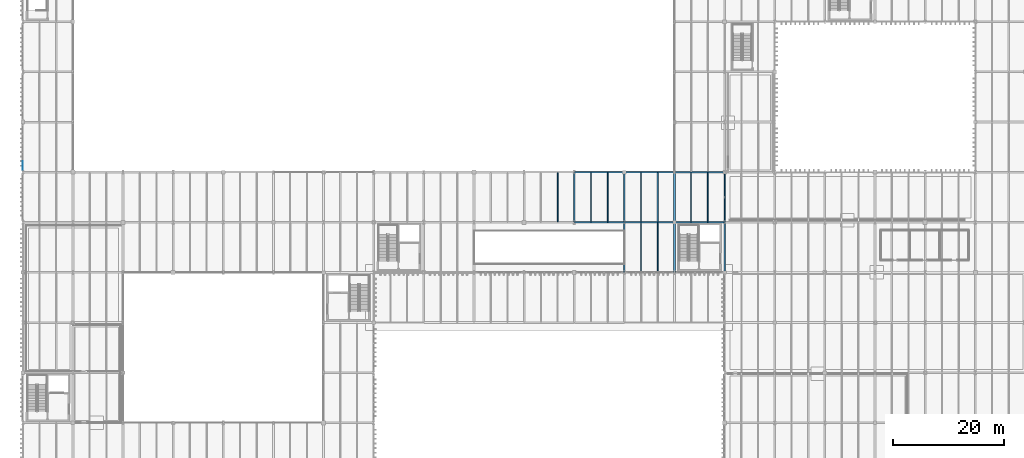
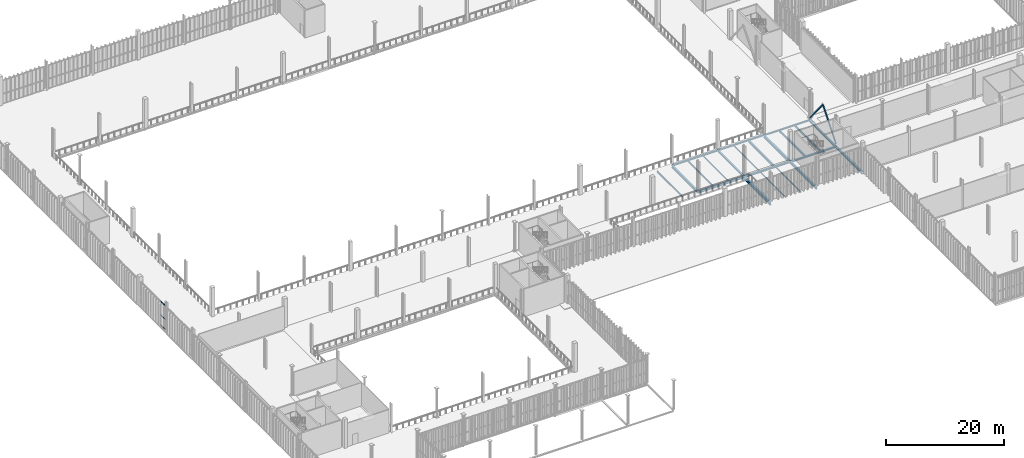
# One storey, part 72 of 211: 22 beams, 5 members, 1 element without a shape of its own.
"""IFC4 building model written with IfcOpenShell, lengths in metres."""

from ifc_helpers import new_model, si_unit, direction, frame, origin, origin_2d, place, context, subcontext, project, spatial, hollow_rectangle, i_section, extrude, material, layer, layer_set, material_profile, profile_set, type_object, element, aggregate, save


model = new_model("IFC4")

# Units and contexts
model_context = context("Model", 3, precision=1e-05, world=origin(), true_north=direction((0.0, 1.0)))
body_context = subcontext(model_context, "Body", "Model", "MODEL_VIEW")
ifc_project = project(units=[si_unit("LENGTHUNIT", "METRE"), si_unit("AREAUNIT", "SQUARE_METRE"), si_unit("VOLUMEUNIT", "CUBIC_METRE"), si_unit("PLANEANGLEUNIT", "RADIAN"), si_unit("MASSUNIT", "GRAM", prefix="KILO")], contexts=[model_context])

# Site, building, storey
site_placement = place(None, origin())
site = spatial("IfcSite", under=ifc_project, at=site_placement, CompositionType="ELEMENT")
building_placement = place(site_placement, origin())
building = spatial("IfcBuilding", under=site, at=building_placement, Name="Barlavento Convention Centre", CompositionType="ELEMENT")
storey_placement = place(building_placement, frame((0.0, 0.0, 6.0)))
storey = spatial("IfcBuildingStorey", under=building, at=storey_placement, Name="L01", CompositionType="ELEMENT", Elevation=6.0)

# Curtain wall, members
ifc_material_1 = material(Name="Powder-coated aluminium and Low-E glass", Category="aluminium")
ifc_layer = layer(ifc_material_1, 0.179931640625)
ifc_layer_set = layer_set([ifc_layer], Name="ARC-CW-EXH-L01")
curtain_wall_type = type_object("IfcCurtainWallType", Name="ARC-CW-EXH-L01", PredefinedType="NOTDEFINED", material=ifc_layer_set)
curtain_wall_placement = place(storey_placement, origin())
curtain_wall = element("IfcCurtainWall", 1, at=curtain_wall_placement, inside=storey, type_object=curtain_wall_type, Name="L01 unitised curtain wall CW04", PredefinedType="NOTDEFINED")
ifc_material_2 = material(Name="Powder-coated aluminium", Category="aluminium")
ifc_material_profile_1 = material_profile(ifc_material_2, hollow_rectangle(XDim=0.06005859375, YDim=0.139892578125, WallThickness=0.00390625, at=origin_2d()), Name="AL-TRAN 60x140x4")
ifc_profile_set_1 = profile_set([ifc_material_profile_1], Name="Powder-coated aluminium")
member_type_1 = type_object("IfcMemberType", Name="ARC-CWT-60X140", PredefinedType="USERDEFINED", material=ifc_profile_set_1)
member_1_placement = place(storey_placement, frame((0.0, 63.406982421875, 0.030029296875), z_axis=(0.0, 1.0, 0.0), x_axis=(-1.0, 0.0, 0.0)))
member_1 = element("IfcMember", 2, at=member_1_placement, type_object=member_type_1, Name="CW04 transom 1.1", ObjectType="TRANSOM", PredefinedType="USERDEFINED", context=body_context, shape_type="SweptSolid", body=[
    extrude(hollow_rectangle(XDim=0.06005859375, YDim=0.139892578125, WallThickness=0.00390625, at=origin_2d()), origin(), (0.0, 0.0, 1.0), 1.548095703125),
])
member_2_placement = place(storey_placement, frame((0.0, 63.406982421875, 2.10009765625), z_axis=(0.0, 1.0, 0.0), x_axis=(-1.0, 0.0, 0.0)))
member_2 = element("IfcMember", 3, at=member_2_placement, type_object=member_type_1, Name="CW04 transom 1.2", ObjectType="TRANSOM", PredefinedType="USERDEFINED", context=body_context, shape_type="SweptSolid", body=[
    extrude(hollow_rectangle(XDim=0.06005859375, YDim=0.139892578125, WallThickness=0.00390625, at=origin_2d()), origin(), (0.0, 0.0, 1.0), 1.548095703125),
])
member_3_placement = place(storey_placement, frame((0.0, 63.406982421875, 4.919921875), z_axis=(0.0, 1.0, 0.0), x_axis=(-1.0, 0.0, 0.0)))
member_3 = element("IfcMember", 4, at=member_3_placement, type_object=member_type_1, Name="CW04 transom 1.3", ObjectType="TRANSOM", PredefinedType="USERDEFINED", context=body_context, shape_type="SweptSolid", body=[
    extrude(hollow_rectangle(XDim=0.06005859375, YDim=0.139892578125, WallThickness=0.00390625, at=origin_2d()), origin(), (0.0, 0.0, 1.0), 1.548095703125),
])
aggregate(curtain_wall, [member_1, member_2, member_3])

# Beams
ifc_material_3 = material(Name="Steel S355", Category="steel")
ifc_material_profile_2 = material_profile(ifc_material_3, i_section(OverallWidth=0.110107421875, OverallDepth=0.219970703125, WebThickness=0.005859375, FlangeThickness=0.00927734375, FilletRadius=0.011962890625, at=origin_2d()), Name="IPE 220")
ifc_profile_set_2 = profile_set([ifc_material_profile_2], Name="Steel S355")
beam_type_1 = type_object("IfcBeamType", Name="STR-BM-JST-IPE220", PredefinedType="JOIST", material=ifc_profile_set_2)
beam_1_placement = place(storey_placement, frame((111.0, 54.094970703125, -0.39990234375), z_axis=(0.0, 1.0, 0.0), x_axis=(-1.0, 0.0, 0.0)))
element("IfcBeam", 5, at=beam_1_placement, inside=storey, type_object=beam_type_1, Name="L01 composite floor joist SJ10", PredefinedType="JOIST", context=body_context, shape_type="SweptSolid", body=[
    extrude(i_section(OverallWidth=0.110107421875, OverallDepth=0.219970703125, WebThickness=0.005859375, FlangeThickness=0.00927734375, FilletRadius=0.011962890625, at=origin_2d()), origin(), (0.0, 0.0, 1.0), 8.81005859375),
])
ifc_material_profile_3 = material_profile(ifc_material_3, i_section(OverallWidth=0.1201171875, OverallDepth=0.239990234375, WebThickness=0.006103515625, FlangeThickness=0.009765625, FilletRadius=0.014892578125, at=origin_2d()), Name="IPE 240")
ifc_profile_set_3 = profile_set([ifc_material_profile_3], Name="Steel S355")
beam_type_2 = type_object("IfcBeamType", Name="STR-BM-JST-IPE240", PredefinedType="JOIST", material=ifc_profile_set_3)
beam_2_placement = place(storey_placement, frame((114.0, 45.094970703125, -0.409912109375), z_axis=(0.0, 1.0, 0.0), x_axis=(-1.0, 0.0, 0.0)))
element("IfcBeam", 6, at=beam_2_placement, inside=storey, type_object=beam_type_2, Name="L01 composite floor joist SJ09", PredefinedType="JOIST", context=body_context, shape_type="SweptSolid", body=[
    extrude(i_section(OverallWidth=0.1201171875, OverallDepth=0.239990234375, WebThickness=0.006103515625, FlangeThickness=0.009765625, FilletRadius=0.014892578125, at=origin_2d()), origin(), (0.0, 0.0, 1.0), 8.81005859375),
])
ifc_material_profile_4 = material_profile(ifc_material_3, i_section(OverallWidth=0.135009765625, OverallDepth=0.27001953125, WebThickness=0.006591796875, FlangeThickness=0.01025390625, FilletRadius=0.014892578125, at=origin_2d()), Name="IPE 270")
ifc_profile_set_4 = profile_set([ifc_material_profile_4], Name="Steel S355")
beam_type_3 = type_object("IfcBeamType", Name="STR-BM-JST-IPE270", PredefinedType="JOIST", material=ifc_profile_set_4)
for number, where, z_axis, x_axis, name in (
    (7, (111.0, 45.094970703125, -0.425048828125), (0.0, 1.0, 0.0), (-1.0, 0.0, 0.0), "L01 composite floor joist SJ08"),
    (8, (105.0, 54.094970703125, -0.425048828125), (0.0, 1.0, 0.0), (-1.0, 0.0, 0.0), "L01 composite floor joist SJ08"),
):
    element("IfcBeam", number, at=place(storey_placement, frame(where, z_axis=z_axis, x_axis=x_axis)), inside=storey, type_object=beam_type_3, Name=name, PredefinedType="JOIST", context=body_context, shape_type="SweptSolid", body=[
        extrude(i_section(OverallWidth=0.135009765625, OverallDepth=0.27001953125, WebThickness=0.006591796875, FlangeThickness=0.01025390625, FilletRadius=0.014892578125, at=origin_2d()), origin(), (0.0, 0.0, 1.0), 8.81005859375),
    ])
ifc_material_profile_5 = material_profile(ifc_material_3, i_section(OverallWidth=0.14990234375, OverallDepth=0.300048828125, WebThickness=0.007080078125, FlangeThickness=0.0107421875, FilletRadius=0.014892578125, at=origin_2d()), Name="IPE 300")
ifc_profile_set_5 = profile_set([ifc_material_profile_5], Name="Steel S355")
beam_type_4 = type_object("IfcBeamType", Name="STR-BM-JST-IPE300", PredefinedType="JOIST", material=ifc_profile_set_5)
beam_3_placement = place(storey_placement, frame((102.0, 54.094970703125, -0.43994140625), z_axis=(0.0, 1.0, 0.0), x_axis=(-1.0, 0.0, 0.0)))
element("IfcBeam", 9, at=beam_3_placement, inside=storey, type_object=beam_type_4, Name="L01 composite floor joist SJ07", PredefinedType="JOIST", context=body_context, shape_type="SweptSolid", body=[
    extrude(i_section(OverallWidth=0.14990234375, OverallDepth=0.300048828125, WebThickness=0.007080078125, FlangeThickness=0.0107421875, FilletRadius=0.014892578125, at=origin_2d()), origin(), (0.0, 0.0, 1.0), 8.81005859375),
])
ifc_material_profile_6 = material_profile(ifc_material_3, i_section(OverallWidth=0.169921875, OverallDepth=0.360107421875, WebThickness=0.008056640625, FlangeThickness=0.0126953125, FilletRadius=0.01806640625, at=origin_2d()), Name="IPE 360")
ifc_profile_set_6 = profile_set([ifc_material_profile_6], Name="Steel S355")
beam_type_5 = type_object("IfcBeamType", Name="STR-BM-JST-IPE360", PredefinedType="JOIST", material=ifc_profile_set_6)
beam_4_placement = place(storey_placement, frame((96.0, 54.094970703125, -0.469970703125), z_axis=(0.0, 1.0, 0.0), x_axis=(-1.0, 0.0, 0.0)))
element("IfcBeam", 10, at=beam_4_placement, inside=storey, type_object=beam_type_5, Name="L01 composite floor joist SJ05", PredefinedType="JOIST", context=body_context, shape_type="SweptSolid", body=[
    extrude(i_section(OverallWidth=0.169921875, OverallDepth=0.360107421875, WebThickness=0.008056640625, FlangeThickness=0.0126953125, FilletRadius=0.01806640625, at=origin_2d()), origin(), (0.0, 0.0, 1.0), 8.81005859375),
])
ifc_material_profile_7 = material_profile(ifc_material_3, i_section(OverallWidth=0.179931640625, OverallDepth=0.39990234375, WebThickness=0.008544921875, FlangeThickness=0.013427734375, FilletRadius=0.02099609375, at=origin_2d()), Name="IPE 400")
ifc_profile_set_7 = profile_set([ifc_material_profile_7], Name="Steel S355")
beam_type_6 = type_object("IfcBeamType", Name="STR-BM-JST-IPE400", PredefinedType="JOIST", material=ifc_profile_set_7)
beam_5_placement = place(storey_placement, frame((123.0, 54.094970703125, -0.489990234375), z_axis=(0.0, 1.0, 0.0), x_axis=(-1.0, 0.0, 0.0)))
element("IfcBeam", 11, at=beam_5_placement, inside=storey, type_object=beam_type_6, Name="L01 composite floor joist SJ04", PredefinedType="JOIST", context=body_context, shape_type="SweptSolid", body=[
    extrude(i_section(OverallWidth=0.179931640625, OverallDepth=0.39990234375, WebThickness=0.008544921875, FlangeThickness=0.013427734375, FilletRadius=0.02099609375, at=origin_2d()), origin(), (0.0, 0.0, 1.0), 8.81005859375),
])
ifc_material_profile_8 = material_profile(ifc_material_3, i_section(OverallWidth=0.18994140625, OverallDepth=0.449951171875, WebThickness=0.009521484375, FlangeThickness=0.0146484375, FilletRadius=0.02099609375, at=origin_2d()), Name="IPE 450")
ifc_profile_set_8 = profile_set([ifc_material_profile_8], Name="Steel S355")
beam_type_7 = type_object("IfcBeamType", Name="STR-BM-JST-IPE450", PredefinedType="JOIST", material=ifc_profile_set_8)
beam_6_placement = place(storey_placement, frame((120.0, 54.094970703125, -0.514892578125), z_axis=(0.0, 1.0, 0.0), x_axis=(-1.0, 0.0, 0.0)))
element("IfcBeam", 12, at=beam_6_placement, inside=storey, type_object=beam_type_7, Name="L01 composite floor joist SJ03", PredefinedType="JOIST", context=body_context, shape_type="SweptSolid", body=[
    extrude(i_section(OverallWidth=0.18994140625, OverallDepth=0.449951171875, WebThickness=0.009521484375, FlangeThickness=0.0146484375, FilletRadius=0.02099609375, at=origin_2d()), origin(), (0.0, 0.0, 1.0), 8.81005859375),
])
ifc_material_profile_9 = material_profile(ifc_material_3, i_section(OverallWidth=0.2099609375, OverallDepth=0.550048828125, WebThickness=0.010986328125, FlangeThickness=0.01708984375, FilletRadius=0.02392578125, at=origin_2d()), Name="IPE 550")
ifc_profile_set_9 = profile_set([ifc_material_profile_9], Name="Steel S355")
beam_type_8 = type_object("IfcBeamType", Name="STR-BM-JST-IPE550", PredefinedType="JOIST", material=ifc_profile_set_9)
beam_7_placement = place(storey_placement, frame((114.0, 54.094970703125, -0.56494140625), z_axis=(0.0, 1.0, 0.0), x_axis=(-1.0, 0.0, 0.0)))
element("IfcBeam", 13, at=beam_7_placement, inside=storey, type_object=beam_type_8, Name="L01 composite floor joist SJ01", PredefinedType="JOIST", context=body_context, shape_type="SweptSolid", body=[
    extrude(i_section(OverallWidth=0.2099609375, OverallDepth=0.550048828125, WebThickness=0.010986328125, FlangeThickness=0.01708984375, FilletRadius=0.02392578125, at=origin_2d()), origin(), (0.0, 0.0, 1.0), 8.81005859375),
])
ifc_material_profile_10 = material_profile(ifc_material_3, i_section(OverallWidth=0.300048828125, OverallDepth=0.35009765625, WebThickness=0.010009765625, FlangeThickness=0.017578125, FilletRadius=0.027099609375, at=origin_2d()), Name="HEA 360")
ifc_profile_set_10 = profile_set([ifc_material_profile_10], Name="Steel S355")
beam_type_9 = type_object("IfcBeamType", Name="STR-BM-PRI-HEA360", PredefinedType="BEAM", material=ifc_profile_set_10)
beam_8_placement = place(storey_placement, frame((108.0, 54.02001953125, -0.465087890625), z_axis=(0.0, 1.0, 0.0), x_axis=(-1.0, 0.0, 0.0)))
element("IfcBeam", 14, at=beam_8_placement, inside=storey, type_object=beam_type_9, Name="L01 grid girder BG23", PredefinedType="BEAM", context=body_context, shape_type="SweptSolid", body=[
    extrude(i_section(OverallWidth=0.300048828125, OverallDepth=0.35009765625, WebThickness=0.010009765625, FlangeThickness=0.017578125, FilletRadius=0.027099609375, at=origin_2d()), origin(), (0.0, 0.0, 1.0), 8.9599609375),
])
ifc_material_profile_11 = material_profile(ifc_material_3, i_section(OverallWidth=0.300048828125, OverallDepth=0.43994140625, WebThickness=0.011474609375, FlangeThickness=0.02099609375, FilletRadius=0.027099609375, at=origin_2d()), Name="HEA 450")
ifc_profile_set_11 = profile_set([ifc_material_profile_11], Name="Steel S355")
beam_type_10 = type_object("IfcBeamType", Name="STR-BM-PRI-HEA450", PredefinedType="BEAM", material=ifc_profile_set_11)
for number, where, z_axis, x_axis, name in (
    (15, (126.0, 45.02001953125, -0.580078125), (0.0, 1.0, 0.0), (-1.0, 0.0, 0.0), "L01 grid girder BG21"),
    (16, (126.0, 54.02001953125, -0.580078125), (0.0, 1.0, 0.0), (-1.0, 0.0, 0.0), "L01 grid girder BG21"),
):
    element("IfcBeam", number, at=place(storey_placement, frame(where, z_axis=z_axis, x_axis=x_axis)), inside=storey, type_object=beam_type_10, Name=name, PredefinedType="BEAM", context=body_context, shape_type="SweptSolid", body=[
        extrude(i_section(OverallWidth=0.300048828125, OverallDepth=0.43994140625, WebThickness=0.011474609375, FlangeThickness=0.02099609375, FilletRadius=0.027099609375, at=origin_2d()), origin(), (0.0, 0.0, 1.0), 8.9599609375),
    ])
ifc_material_profile_12 = material_profile(ifc_material_3, i_section(OverallWidth=0.300048828125, OverallDepth=0.489990234375, WebThickness=0.011962890625, FlangeThickness=0.02294921875, FilletRadius=0.027099609375, at=origin_2d()), Name="HEA 500")
ifc_profile_set_12 = profile_set([ifc_material_profile_12], Name="Steel S355")
beam_type_11 = type_object("IfcBeamType", Name="STR-BM-PRI-HEA500", PredefinedType="BEAM", material=ifc_profile_set_12)
for number, where, z_axis, x_axis, name in (
    (17, (117.0, 45.02001953125, -0.534912109375), (0.0, 1.0, 0.0), (-1.0, 0.0, 0.0), "L01 grid girder BG20"),
    (18, (99.0, 54.02001953125, -0.534912109375), (0.0, 1.0, 0.0), (-1.0, 0.0, 0.0), "L01 grid girder BG20"),
):
    element("IfcBeam", number, at=place(storey_placement, frame(where, z_axis=z_axis, x_axis=x_axis)), inside=storey, type_object=beam_type_11, Name=name, PredefinedType="BEAM", context=body_context, shape_type="SweptSolid", body=[
        extrude(i_section(OverallWidth=0.300048828125, OverallDepth=0.489990234375, WebThickness=0.011962890625, FlangeThickness=0.02294921875, FilletRadius=0.027099609375, at=origin_2d()), origin(), (0.0, 0.0, 1.0), 8.9599609375),
    ])
ifc_material_profile_13 = material_profile(ifc_material_3, i_section(OverallWidth=0.300048828125, OverallDepth=0.590087890625, WebThickness=0.012939453125, FlangeThickness=0.02490234375, FilletRadius=0.027099609375, at=origin_2d()), Name="HEA 600")
ifc_profile_set_13 = profile_set([ifc_material_profile_13], Name="Steel S355")
beam_type_12 = type_object("IfcBeamType", Name="STR-BM-PRI-HEA600", PredefinedType="BEAM", material=ifc_profile_set_13)
beam_9_placement = place(storey_placement, frame((117.0, 54.02001953125, -0.5849609375), z_axis=(0.0, 1.0, 0.0), x_axis=(-1.0, 0.0, 0.0)))
element("IfcBeam", 19, at=beam_9_placement, inside=storey, type_object=beam_type_12, Name="L01 grid girder BG18", PredefinedType="BEAM", context=body_context, shape_type="SweptSolid", body=[
    extrude(i_section(OverallWidth=0.300048828125, OverallDepth=0.590087890625, WebThickness=0.012939453125, FlangeThickness=0.02490234375, FilletRadius=0.027099609375, at=origin_2d()), origin(), (0.0, 0.0, 1.0), 8.9599609375),
])
ifc_material_profile_14 = material_profile(ifc_material_3, i_section(OverallWidth=0.300048828125, OverallDepth=0.639892578125, WebThickness=0.013427734375, FlangeThickness=0.02587890625, FilletRadius=0.027099609375, at=origin_2d()), Name="HEA 650")
ifc_profile_set_14 = profile_set([ifc_material_profile_14], Name="Steel S355")
beam_type_13 = type_object("IfcBeamType", Name="STR-BM-PRI-HEA650", PredefinedType="BEAM", material=ifc_profile_set_14)
beam_10_placement = place(storey_placement, frame((108.0, 45.02001953125, -0.610107421875), z_axis=(0.0, 1.0, 0.0), x_axis=(-1.0, 0.0, 0.0)))
element("IfcBeam", 20, at=beam_10_placement, inside=storey, type_object=beam_type_13, Name="L01 grid girder BG17", PredefinedType="BEAM", context=body_context, shape_type="SweptSolid", body=[
    extrude(i_section(OverallWidth=0.300048828125, OverallDepth=0.639892578125, WebThickness=0.013427734375, FlangeThickness=0.02587890625, FilletRadius=0.027099609375, at=origin_2d()), origin(), (0.0, 0.0, 1.0), 8.9599609375),
])
ifc_material_profile_15 = material_profile(ifc_material_3, i_section(OverallWidth=0.260009765625, OverallDepth=0.260009765625, WebThickness=0.010009765625, FlangeThickness=0.017578125, FilletRadius=0.02392578125, at=origin_2d()), Name="HEB 260")
ifc_profile_set_15 = profile_set([ifc_material_profile_15], Name="Steel S355")
beam_type_14 = type_object("IfcBeamType", Name="STR-BM-PRI-HEB260", PredefinedType="BEAM", material=ifc_profile_set_15)
beam_11_placement = place(storey_placement, frame((117.02001953125, 63.0, -0.489990234375), z_axis=(1.0, 0.0, 0.0), x_axis=(0.0, 1.0, 0.0)))
element("IfcBeam", 21, at=beam_11_placement, inside=storey, type_object=beam_type_14, Name="L01 primary girder BG16", PredefinedType="BEAM", context=body_context, shape_type="SweptSolid", body=[
    extrude(i_section(OverallWidth=0.260009765625, OverallDepth=0.260009765625, WebThickness=0.010009765625, FlangeThickness=0.017578125, FilletRadius=0.02392578125, at=origin_2d()), origin(), (0.0, 0.0, 1.0), 8.9599609375),
])
ifc_material_profile_16 = material_profile(ifc_material_3, i_section(OverallWidth=0.300048828125, OverallDepth=0.320068359375, WebThickness=0.011474609375, FlangeThickness=0.0205078125, FilletRadius=0.027099609375, at=origin_2d()), Name="HEB 320")
ifc_profile_set_16 = profile_set([ifc_material_profile_16], Name="Steel S355")
beam_type_15 = type_object("IfcBeamType", Name="STR-BM-PRI-HEB320", PredefinedType="BEAM", material=ifc_profile_set_16)
beam_12_placement = place(storey_placement, frame((117.02001953125, 54.0, -0.52001953125), z_axis=(1.0, 0.0, 0.0), x_axis=(0.0, 1.0, 0.0)))
element("IfcBeam", 22, at=beam_12_placement, inside=storey, type_object=beam_type_15, Name="L01 primary girder BG13", PredefinedType="BEAM", context=body_context, shape_type="SweptSolid", body=[
    extrude(i_section(OverallWidth=0.300048828125, OverallDepth=0.320068359375, WebThickness=0.011474609375, FlangeThickness=0.0205078125, FilletRadius=0.027099609375, at=origin_2d()), origin(), (0.0, 0.0, 1.0), 8.9599609375),
])
ifc_material_profile_17 = material_profile(ifc_material_3, i_section(OverallWidth=0.300048828125, OverallDepth=0.360107421875, WebThickness=0.012451171875, FlangeThickness=0.0224609375, FilletRadius=0.027099609375, at=origin_2d()), Name="HEB 360")
ifc_profile_set_17 = profile_set([ifc_material_profile_17], Name="Steel S355")
beam_type_16 = type_object("IfcBeamType", Name="STR-BM-PRI-HEB360", PredefinedType="BEAM", material=ifc_profile_set_17)
beam_13_placement = place(storey_placement, frame((108.02001953125, 54.0, -0.469970703125), z_axis=(1.0, 0.0, 0.0), x_axis=(0.0, 1.0, 0.0)))
element("IfcBeam", 23, at=beam_13_placement, inside=storey, type_object=beam_type_16, Name="L01 primary girder BG12", PredefinedType="BEAM", context=body_context, shape_type="SweptSolid", body=[
    extrude(i_section(OverallWidth=0.300048828125, OverallDepth=0.360107421875, WebThickness=0.012451171875, FlangeThickness=0.0224609375, FilletRadius=0.027099609375, at=origin_2d()), origin(), (0.0, 0.0, 1.0), 8.9599609375),
])
ifc_material_profile_18 = material_profile(ifc_material_3, i_section(OverallWidth=0.300048828125, OverallDepth=0.39990234375, WebThickness=0.013427734375, FlangeThickness=0.02392578125, FilletRadius=0.027099609375, at=origin_2d()), Name="HEB 400")
ifc_profile_set_18 = profile_set([ifc_material_profile_18], Name="Steel S355")
beam_type_17 = type_object("IfcBeamType", Name="STR-BM-PRI-HEB400", PredefinedType="BEAM", material=ifc_profile_set_18)
beam_14_placement = place(storey_placement, frame((99.02001953125, 54.0, -0.489990234375), z_axis=(1.0, 0.0, 0.0), x_axis=(0.0, 1.0, 0.0)))
element("IfcBeam", 24, at=beam_14_placement, inside=storey, type_object=beam_type_17, Name="L01 primary girder BG11", PredefinedType="BEAM", context=body_context, shape_type="SweptSolid", body=[
    extrude(i_section(OverallWidth=0.300048828125, OverallDepth=0.39990234375, WebThickness=0.013427734375, FlangeThickness=0.02392578125, FilletRadius=0.027099609375, at=origin_2d()), origin(), (0.0, 0.0, 1.0), 8.9599609375),
])
ifc_material_profile_19 = material_profile(ifc_material_3, i_section(OverallWidth=0.300048828125, OverallDepth=0.2900390625, WebThickness=0.008544921875, FlangeThickness=0.013916015625, FilletRadius=0.027099609375, at=origin_2d()), Name="HEA 300")
ifc_profile_set_19 = profile_set([ifc_material_profile_19], Name="Steel S355")
beam_type_18 = type_object("IfcBeamType", Name="STR-BM-SPN-HEA300", PredefinedType="SPANDREL", material=ifc_profile_set_19)
beam_15_placement = place(storey_placement, frame((108.02001953125, 63.0, -0.425048828125), z_axis=(1.0, 0.0, 0.0), x_axis=(0.0, 1.0, 0.0)))
element("IfcBeam", 25, at=beam_15_placement, inside=storey, type_object=beam_type_18, Name="L01 primary girder SP02", PredefinedType="SPANDREL", context=body_context, shape_type="SweptSolid", body=[
    extrude(i_section(OverallWidth=0.300048828125, OverallDepth=0.2900390625, WebThickness=0.008544921875, FlangeThickness=0.013916015625, FilletRadius=0.027099609375, at=origin_2d()), origin(), (0.0, 0.0, 1.0), 8.9599609375),
])
ifc_material_profile_20 = material_profile(ifc_material_3, i_section(OverallWidth=0.300048828125, OverallDepth=0.31005859375, WebThickness=0.009033203125, FlangeThickness=0.015380859375, FilletRadius=0.027099609375, at=origin_2d()), Name="HEA 320")
ifc_profile_set_20 = profile_set([ifc_material_profile_20], Name="Steel S355")
beam_type_19 = type_object("IfcBeamType", Name="STR-BM-SPN-HEA320", PredefinedType="SPANDREL", material=ifc_profile_set_20)
beam_16_placement = place(storey_placement, frame((99.02001953125, 63.0, -0.43505859375), z_axis=(1.0, 0.0, 0.0), x_axis=(0.0, 1.0, 0.0)))
element("IfcBeam", 26, at=beam_16_placement, inside=storey, type_object=beam_type_19, Name="L01 primary girder SP01", PredefinedType="SPANDREL", context=body_context, shape_type="SweptSolid", body=[
    extrude(i_section(OverallWidth=0.300048828125, OverallDepth=0.31005859375, WebThickness=0.009033203125, FlangeThickness=0.015380859375, FilletRadius=0.027099609375, at=origin_2d()), origin(), (0.0, 0.0, 1.0), 8.9599609375),
])

# Members
ifc_material_profile_21 = material_profile(ifc_material_3, hollow_rectangle(XDim=0.199951171875, YDim=0.199951171875, WallThickness=0.010009765625, at=origin_2d()), Name="SHS 200x200x10.0")
ifc_profile_set_21 = profile_set([ifc_material_profile_21], Name="Steel S355")
member_type_2 = type_object("IfcMemberType", Name="STR-MEM-BRC-SHS200", PredefinedType="BRACE", material=ifc_profile_set_21)
for number, where, z_axis, x_axis, name in (
    (27, (126.0, 54.050048828125, 0.0), (0.0, 0.632462752719, 0.77459077352), (-1.0, 0.0, 0.0), "Concentric lateral chevron brace BF02"),
    (28, (126.0, 62.949951171875, 0.0), (0.0, -0.632462752719, 0.77459077352), (1.0, 0.0, 0.0), "Concentric lateral chevron brace BF02"),
):
    element("IfcMember", number, at=place(storey_placement, frame(where, z_axis=z_axis, x_axis=x_axis)), inside=storey, type_object=member_type_2, Name=name, PredefinedType="BRACE", context=body_context, shape_type="SweptSolid", body=[
        extrude(hollow_rectangle(XDim=0.199951171875, YDim=0.199951171875, WallThickness=0.010009765625, at=origin_2d()), origin(), (0.0, 0.0, 1.0), 7.035888671875),
    ])

save(model, "model.ifc")
